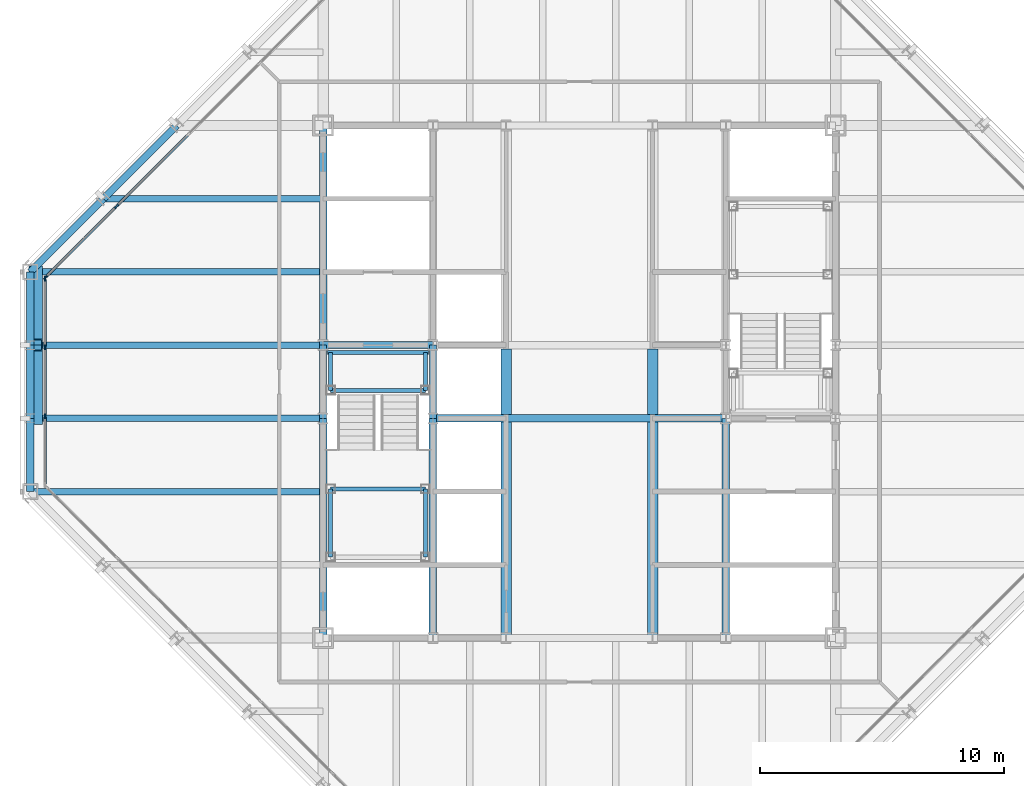
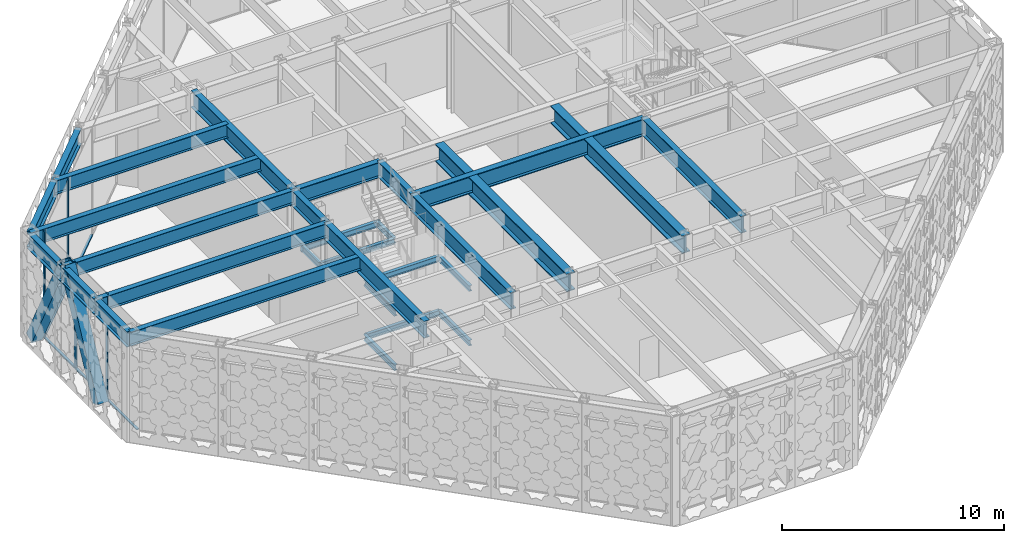
# One storey, part 6 of 28: 32 beams, 12 members, 2 elements without a shape of their own.
"""IFC4 building model written with IfcOpenShell, lengths in metres."""

from ifc_helpers import new_model, si_unit, direction, frame, origin, origin_2d, place, context, subcontext, project, spatial, rectangle, hollow_rectangle, i_section, extrude, material, layer, layer_set, material_profile, profile_set, type_object, element, aggregate, save


model = new_model("IFC4")

# Units and contexts
model_context = context("Model", 3, precision=1e-05, world=origin(), true_north=direction((0.0, 1.0)))
body_context = subcontext(model_context, "Body", "Model", "MODEL_VIEW")
ifc_project = project(units=[si_unit("LENGTHUNIT", "METRE"), si_unit("AREAUNIT", "SQUARE_METRE"), si_unit("VOLUMEUNIT", "CUBIC_METRE"), si_unit("PLANEANGLEUNIT", "RADIAN"), si_unit("MASSUNIT", "GRAM", prefix="KILO")], contexts=[model_context])

# Site, building, storey
site_placement = place(None, origin())
site = spatial("IfcSite", under=ifc_project, at=site_placement, CompositionType="ELEMENT")
building_placement = place(site_placement, origin())
building = spatial("IfcBuilding", under=site, at=building_placement, Name="Chuquiago Exchange Tower", CompositionType="ELEMENT")
storey_placement = place(building_placement, frame((0.0, 0.0, 300.0)))
storey = spatial("IfcBuildingStorey", under=building, at=storey_placement, Name="L67", CompositionType="ELEMENT", Elevation=300.0)

# Beams
ifc_material_1 = material(Name="Steel ASTM A992", Category="steel")
ifc_material_profile_1 = material_profile(ifc_material_1, i_section(OverallWidth=0.307373046875, OverallDepth=0.927001953125, WebThickness=0.01953125, FlangeThickness=0.031982421875, at=origin_2d()), Name="W36X194")
ifc_profile_set_1 = profile_set([ifc_material_profile_1], Name="Steel ASTM A992")
beam_type_1 = type_object("IfcBeamType", Name="B10 W36X194", PredefinedType="BEAM", material=ifc_profile_set_1)
for number, where, z_axis, x_axis, name in (
    (1, (12.0, 12.0, 5.37646484375), (0.0, 1.0, 0.0), (-1.0, 0.0, 0.0), "CB-L68-12_12-12_21"),
    (2, (12.0, 24.0, 5.37646484375), (0.0, 1.0, 0.0), (-1.0, 0.0, 0.0), "CB-L68-12_24-12_33"),
    (3, (16.5, 12.0, 5.37646484375), (0.0, 1.0, 0.0), (-1.0, 0.0, 0.0), "CB-L68-16.5_12-16.5_21"),
    (4, (28.5, 12.0, 5.37646484375), (0.0, 1.0, 0.0), (-1.0, 0.0, 0.0), "CB-L68-28.5_12-28.5_21"),
):
    element("IfcBeam", number, at=place(storey_placement, frame(where, z_axis=z_axis, x_axis=x_axis)), inside=storey, type_object=beam_type_1, Name=name, PredefinedType="BEAM", context=body_context, shape_type="SweptSolid", body=[
        extrude(i_section(OverallWidth=0.307373046875, OverallDepth=0.927001953125, WebThickness=0.01953125, FlangeThickness=0.031982421875, at=origin_2d()), origin(), (0.0, 0.0, 1.0), 9.0),
    ])
ifc_material_2 = material(Name="Steel ASTM A992", Category="steel")
ifc_material_profile_2 = material_profile(ifc_material_2, i_section(OverallWidth=0.309814453125, OverallDepth=0.949951171875, WebThickness=0.0244140625, FlangeThickness=0.0439453125, at=origin_2d()), Name="W36X256")
ifc_profile_set_2 = profile_set([ifc_material_profile_2], Name="Steel ASTM A992")
beam_type_2 = type_object("IfcBeamType", Name="B11 W36X256", PredefinedType="BEAM", material=ifc_profile_set_2)
beam_1_placement = place(storey_placement, frame((16.5, 21.0, 5.364990234375), z_axis=(1.0, 0.0, 0.0), x_axis=(0.0, 1.0, 0.0)))
element("IfcBeam", 5, at=beam_1_placement, inside=storey, type_object=beam_type_2, Name="CB-L68-16.5_21-28.5_21", PredefinedType="BEAM", context=body_context, shape_type="SweptSolid", body=[
    extrude(i_section(OverallWidth=0.309814453125, OverallDepth=0.949951171875, WebThickness=0.0244140625, FlangeThickness=0.0439453125, at=origin_2d()), origin(), (0.0, 0.0, 1.0), 12.0),
])
ifc_material_3 = material(Name="Steel ASTM A992", Category="steel")
ifc_material_profile_3 = material_profile(ifc_material_3, i_section(OverallWidth=0.4267578125, OverallDepth=0.975341796875, WebThickness=0.031005859375, FlangeThickness=0.055908203125, at=origin_2d()), Name="W36X395")
ifc_profile_set_3 = profile_set([ifc_material_profile_3], Name="Steel ASTM A992")
beam_type_3 = type_object("IfcBeamType", Name="B12 W36X395", PredefinedType="BEAM", material=ifc_profile_set_3)
beam_2_placement = place(storey_placement, frame((19.5, 12.0, 5.352294921875), z_axis=(0.0, 1.0, 0.0), x_axis=(-1.0, 0.0, 0.0)))
element("IfcBeam", 6, at=beam_2_placement, inside=storey, type_object=beam_type_3, Name="CB-L68-19.5_12-19.5_20.8451", PredefinedType="BEAM", context=body_context, shape_type="SweptSolid", body=[
    extrude(i_section(OverallWidth=0.4267578125, OverallDepth=0.975341796875, WebThickness=0.031005859375, FlangeThickness=0.055908203125, at=origin_2d()), origin(), (0.0, 0.0, 1.0), 8.84521484375),
])
beam_3_placement = place(storey_placement, frame((19.5, 21.15478515625, 5.352294921875), z_axis=(0.0, 1.0, 0.0), x_axis=(-1.0, 0.0, 0.0)))
element("IfcBeam", 7, at=beam_3_placement, inside=storey, type_object=beam_type_3, Name="CB-L68-19.5_21.1549-19.5_23.8451", PredefinedType="BEAM", context=body_context, shape_type="SweptSolid", body=[
    extrude(i_section(OverallWidth=0.4267578125, OverallDepth=0.975341796875, WebThickness=0.031005859375, FlangeThickness=0.055908203125, at=origin_2d()), origin(), (0.0, 0.0, 1.0), 2.6904296875),
])
beam_4_placement = place(storey_placement, frame((25.5, 12.0, 5.352294921875), z_axis=(0.0, 1.0, 0.0), x_axis=(-1.0, 0.0, 0.0)))
element("IfcBeam", 8, at=beam_4_placement, inside=storey, type_object=beam_type_3, Name="CB-L68-25.5_12-25.5_20.8451", PredefinedType="BEAM", context=body_context, shape_type="SweptSolid", body=[
    extrude(i_section(OverallWidth=0.4267578125, OverallDepth=0.975341796875, WebThickness=0.031005859375, FlangeThickness=0.055908203125, at=origin_2d()), origin(), (0.0, 0.0, 1.0), 8.84521484375),
])
beam_5_placement = place(storey_placement, frame((25.5, 21.15478515625, 5.352294921875), z_axis=(0.0, 1.0, 0.0), x_axis=(-1.0, 0.0, 0.0)))
element("IfcBeam", 9, at=beam_5_placement, inside=storey, type_object=beam_type_3, Name="CB-L68-25.5_21.1549-25.5_23.8451", PredefinedType="BEAM", context=body_context, shape_type="SweptSolid", body=[
    extrude(i_section(OverallWidth=0.4267578125, OverallDepth=0.975341796875, WebThickness=0.031005859375, FlangeThickness=0.055908203125, at=origin_2d()), origin(), (0.0, 0.0, 1.0), 2.6904296875),
])
ifc_material_4 = material(Name="Steel ASTM A992", Category="steel")
ifc_material_profile_4 = material_profile(ifc_material_4, i_section(OverallWidth=0.2919921875, OverallDepth=0.8583984375, WebThickness=0.01708984375, FlangeThickness=0.031005859375, at=origin_2d()), Name="W33X169")
ifc_profile_set_4 = profile_set([ifc_material_profile_4], Name="Steel ASTM A992")
beam_type_4 = type_object("IfcBeamType", Name="B3 W33X169", PredefinedType="BEAM", material=ifc_profile_set_4)
for number, where, z_axis, x_axis, name in (
    (10, (12.0, 21.0, 5.41064453125), (0.0, 1.0, 0.0), (-1.0, 0.0, 0.0), "CB-L68-12_21-12_24"),
    (11, (16.5, 21.0, 5.41064453125), (0.0, 1.0, 0.0), (-1.0, 0.0, 0.0), "CB-L68-16.5_21-16.5_24"),
):
    element("IfcBeam", number, at=place(storey_placement, frame(where, z_axis=z_axis, x_axis=x_axis)), inside=storey, type_object=beam_type_4, Name=name, PredefinedType="BEAM", context=body_context, shape_type="SweptSolid", body=[
        extrude(i_section(OverallWidth=0.2919921875, OverallDepth=0.8583984375, WebThickness=0.01708984375, FlangeThickness=0.031005859375, at=origin_2d()), origin(), (0.0, 0.0, 1.0), 3.0),
    ])
beam_6_placement = place(storey_placement, frame((12.0, 24.0, 5.41064453125), z_axis=(1.0, 0.0, 0.0), x_axis=(0.0, 1.0, 0.0)))
element("IfcBeam", 12, at=beam_6_placement, inside=storey, type_object=beam_type_4, Name="CB-L68-12_24-16.5_24", PredefinedType="BEAM", context=body_context, shape_type="SweptSolid", body=[
    extrude(i_section(OverallWidth=0.2919921875, OverallDepth=0.8583984375, WebThickness=0.01708984375, FlangeThickness=0.031005859375, at=origin_2d()), origin(), (0.0, 0.0, 1.0), 4.5),
])
ifc_material_5 = material(Name="Steel ASTM A992", Category="steel")
ifc_material_profile_5 = material_profile(ifc_material_5, i_section(OverallWidth=0.2666015625, OverallDepth=0.761962890625, WebThickness=0.014404296875, FlangeThickness=0.021484375, at=origin_2d()), Name="W30X116")
ifc_profile_set_5 = profile_set([ifc_material_profile_5], Name="Steel ASTM A992")
beam_type_5 = type_object("IfcBeamType", Name="B8 W30X116", PredefinedType="BEAM", material=ifc_profile_set_5)
for number, where, z_axis, x_axis, name in (
    (13, (12.0, 18.0, 5.458984375), (-1.0, 0.0, 0.0), (0.0, -1.0, 0.0), "FB-L68-infill-12_18--0_18-0"),
    (14, (12.0, 21.0, 5.458984375), (-1.0, 0.0, 0.0), (0.0, -1.0, 0.0), "FB-L68-infill-12_21--0_21-0"),
    (15, (12.0, 24.0, 5.458984375), (-1.0, 0.0, 0.0), (0.0, -1.0, 0.0), "FB-L68-infill-12_24--0_24-0"),
    (16, (12.0, 27.0, 5.458984375), (-1.0, 0.0, 0.0), (0.0, -1.0, 0.0), "FB-L68-infill-12_27--0_27-0"),
):
    element("IfcBeam", number, at=place(storey_placement, frame(where, z_axis=z_axis, x_axis=x_axis)), inside=storey, type_object=beam_type_5, Name=name, PredefinedType="BEAM", context=body_context, shape_type="SweptSolid", body=[
        extrude(i_section(OverallWidth=0.2666015625, OverallDepth=0.761962890625, WebThickness=0.014404296875, FlangeThickness=0.021484375, at=origin_2d()), origin(), (0.0, 0.0, 1.0), 12.0),
    ])
beam_7_placement = place(storey_placement, frame((12.0, 30.0, 5.458984375), z_axis=(-1.0, 0.0, 0.0), x_axis=(0.0, -1.0, 0.0)))
element("IfcBeam", 17, at=beam_7_placement, inside=storey, type_object=beam_type_5, Name="FB-L68-infill-12_30-3_30-0", PredefinedType="BEAM", context=body_context, shape_type="SweptSolid", body=[
    extrude(i_section(OverallWidth=0.2666015625, OverallDepth=0.761962890625, WebThickness=0.014404296875, FlangeThickness=0.021484375, at=origin_2d()), origin(), (0.0, 0.0, 1.0), 9.0),
])

# Curtain wall, members
ifc_material_6 = material(Name="Aluminium curtain wall system", Category="aluminium")
ifc_layer = layer(ifc_material_6, 0.199951171875)
ifc_layer_set = layer_set([ifc_layer], Name="CW5 lantern curtain wall")
curtain_wall_type = type_object("IfcCurtainWallType", Name="CW5 lantern curtain wall", PredefinedType="NOTDEFINED", material=ifc_layer_set)
curtain_wall_1_placement = place(storey_placement, origin())
curtain_wall_1 = element("IfcCurtainWall", 18, at=curtain_wall_1_placement, inside=storey, type_object=curtain_wall_type, Name="CW5 curtain wall L67", PredefinedType="NOTDEFINED")
ifc_material_7 = material(Name="Aluminium mullion, pale anodised", Category="aluminium")
ifc_material_profile_6 = material_profile(ifc_material_7, rectangle(XDim=0.06005859375, YDim=0.199951171875, at=origin_2d()), Name="AL 60x200")
ifc_profile_set_6 = profile_set([ifc_material_profile_6], Name="Aluminium mullion, pale anodised")
member_type_1 = type_object("IfcMemberType", Name="CW5-M mullion 60x200", PredefinedType="MULLION", material=ifc_profile_set_6)
member_1_placement = place(storey_placement, frame((3.53564453125, 29.68701171875, 0.0), z_axis=(0.0, 0.0, 1.0), x_axis=(0.707104773852, -0.707108788515, 0.0)))
member_1 = element("IfcMember", 19, at=member_1_placement, type_object=member_type_1, Name="CW5 mullion 6", PredefinedType="MULLION", context=body_context, shape_type="SweptSolid", body=[
    extrude(rectangle(XDim=0.06005859375, YDim=0.199951171875, at=origin_2d()), origin(), (0.0, 0.0, 1.0), 5.840087890625),
])
member_2_placement = place(storey_placement, frame((0.62109375, 26.772705078125, 0.0), z_axis=(0.0, 0.0, 1.0), x_axis=(0.707104773852, -0.707108788515, 0.0)))
member_2 = element("IfcMember", 20, at=member_2_placement, type_object=member_type_1, Name="CW5 mullion 7", PredefinedType="MULLION", context=body_context, shape_type="SweptSolid", body=[
    extrude(rectangle(XDim=0.06005859375, YDim=0.199951171875, at=origin_2d()), origin(), (0.0, 0.0, 1.0), 5.840087890625),
])

curtain_wall_2_placement = place(storey_placement, origin())
curtain_wall_2 = element("IfcCurtainWall", 21, at=curtain_wall_2_placement, inside=storey, type_object=curtain_wall_type, Name="CW5 curtain wall L67", PredefinedType="NOTDEFINED")
member_3_placement = place(storey_placement, frame((0.60009765625, 26.721435546875, 0.0), z_axis=(0.0, 0.0, 1.0), x_axis=(1.0, 0.0, 0.0)))
member_3 = element("IfcMember", 22, at=member_3_placement, type_object=member_type_1, Name="CW5 mullion 1", PredefinedType="MULLION", context=body_context, shape_type="SweptSolid", body=[
    extrude(rectangle(XDim=0.06005859375, YDim=0.199951171875, at=origin_2d()), origin(), (0.0, 0.0, 1.0), 5.840087890625),
])
member_4_placement = place(storey_placement, frame((0.60009765625, 23.917236328125, 0.0), z_axis=(0.0, 0.0, 1.0), x_axis=(1.0, 0.0, 0.0)))
member_4 = element("IfcMember", 23, at=member_4_placement, type_object=member_type_1, Name="CW5 mullion 2", PredefinedType="MULLION", context=body_context, shape_type="SweptSolid", body=[
    extrude(rectangle(XDim=0.06005859375, YDim=0.199951171875, at=origin_2d()), origin(), (0.0, 0.0, 1.0), 5.840087890625),
])
member_5_placement = place(storey_placement, frame((0.60009765625, 21.082763671875, 0.0), z_axis=(0.0, 0.0, 1.0), x_axis=(1.0, 0.0, 0.0)))
member_5 = element("IfcMember", 24, at=member_5_placement, type_object=member_type_1, Name="CW5 mullion 3", PredefinedType="MULLION", context=body_context, shape_type="SweptSolid", body=[
    extrude(rectangle(XDim=0.06005859375, YDim=0.199951171875, at=origin_2d()), origin(), (0.0, 0.0, 1.0), 5.840087890625),
])

# Member
ifc_material_8 = material(Name="Aluminium transom, pale anodised", Category="aluminium")
ifc_material_profile_7 = material_profile(ifc_material_8, rectangle(XDim=0.1201171875, YDim=0.06005859375, at=origin_2d()), Name="AL 120x60")
ifc_profile_set_7 = profile_set([ifc_material_profile_7], Name="Aluminium transom, pale anodised")
member_type_2 = type_object("IfcMemberType", Name="CW5-T transom 60x120", PredefinedType="MULLION", material=ifc_profile_set_7)
member_6_placement = place(storey_placement, frame((6.449951171875, 32.601318359375, 0.030029296875), z_axis=(-0.707136615027, -0.707076946087, 0.0), x_axis=(0.707076946087, -0.707136615027, 0.0)))
member_6 = element("IfcMember", 25, at=member_6_placement, type_object=member_type_2, Name="CW5 transom 5.1", PredefinedType="MULLION", context=body_context, shape_type="SweptSolid", body=[
    extrude(rectangle(XDim=0.1201171875, YDim=0.06005859375, at=origin_2d()), origin(), (0.0, 0.0, 1.0), 4.091552734375),
])

member_7_placement = place(storey_placement, frame((3.514404296875, 29.665771484375, 0.030029296875), z_axis=(-0.707136835667, -0.707076725429, 0.0), x_axis=(0.707076725429, -0.707136835667, 0.0)))
member_7 = element("IfcMember", 26, at=member_7_placement, type_object=member_type_2, Name="CW5 transom 6.1", PredefinedType="MULLION", context=body_context, shape_type="SweptSolid", body=[
    extrude(rectangle(XDim=0.1201171875, YDim=0.06005859375, at=origin_2d()), origin(), (0.0, 0.0, 1.0), 4.0615234375),
])

aggregate(curtain_wall_1, [member_1, member_2, member_6, member_7])

member_8_placement = place(storey_placement, frame((0.60009765625, 26.69140625, 0.030029296875), z_axis=(0.0, -1.0, 0.0), x_axis=(1.0, 0.0, 0.0)))
member_8 = element("IfcMember", 27, at=member_8_placement, type_object=member_type_2, Name="CW5 transom 1.1", PredefinedType="MULLION", context=body_context, shape_type="SweptSolid", body=[
    extrude(rectangle(XDim=0.1201171875, YDim=0.06005859375, at=origin_2d()), origin(), (0.0, 0.0, 1.0), 2.744140625),
])

member_9_placement = place(storey_placement, frame((0.60009765625, 23.88720703125, 0.030029296875), z_axis=(0.0, -1.0, 0.0), x_axis=(1.0, 0.0, 0.0)))
member_9 = element("IfcMember", 28, at=member_9_placement, type_object=member_type_2, Name="CW5 transom 2.1", PredefinedType="MULLION", context=body_context, shape_type="SweptSolid", body=[
    extrude(rectangle(XDim=0.1201171875, YDim=0.06005859375, at=origin_2d()), origin(), (0.0, 0.0, 1.0), 2.7744140625),
])

member_10_placement = place(storey_placement, frame((0.60009765625, 21.052734375, 0.030029296875), z_axis=(0.0, -1.0, 0.0), x_axis=(1.0, 0.0, 0.0)))
member_10 = element("IfcMember", 29, at=member_10_placement, type_object=member_type_2, Name="CW5 transom 3.1", PredefinedType="MULLION", context=body_context, shape_type="SweptSolid", body=[
    extrude(rectangle(XDim=0.1201171875, YDim=0.06005859375, at=origin_2d()), origin(), (0.0, 0.0, 1.0), 2.744140625),
])

aggregate(curtain_wall_2, [member_3, member_4, member_5, member_8, member_9, member_10])

# Beams
ifc_material_9 = material(Name="Steel ASTM A992", Category="steel")
ifc_material_profile_8 = material_profile(ifc_material_9, i_section(OverallWidth=0.164794921875, OverallDepth=0.309814453125, WebThickness=0.005859375, FlangeThickness=0.009765625, at=origin_2d()), Name="W12X26")
ifc_profile_set_8 = profile_set([ifc_material_profile_8], Name="Steel ASTM A992")
beam_type_6 = type_object("IfcBeamType", Name="LS1 W12X26", PredefinedType="BEAM", material=ifc_profile_set_8)
for number, where, z_axis, x_axis, name in (
    (30, (12.31005859375, 15.31005859375, 1.14501953125), (0.0, 1.0, 0.0), (-1.0, 0.0, 0.0), "Stair ST1 L67 landing 1 stringer"),
    (31, (16.18994140625, 15.31005859375, 1.14501953125), (0.0, 1.0, 0.0), (-1.0, 0.0, 0.0), "Stair ST1 L67 landing 1 stringer"),
):
    element("IfcBeam", number, at=place(storey_placement, frame(where, z_axis=z_axis, x_axis=x_axis)), inside=storey, type_object=beam_type_6, Name=name, PredefinedType="BEAM", context=body_context, shape_type="SweptSolid", body=[
        extrude(i_section(OverallWidth=0.164794921875, OverallDepth=0.309814453125, WebThickness=0.005859375, FlangeThickness=0.009765625, at=origin_2d()), origin(), (0.0, 0.0, 1.0), 2.800048828125),
    ])
for number, where, z_axis, x_axis, name in (
    (32, (12.31005859375, 22.14990234375, 2.64501953125), (0.0, 1.0, 0.0), (-1.0, 0.0, 0.0), "Stair ST1 L67 landing 2 stringer"),
    (33, (16.18994140625, 22.14990234375, 2.64501953125), (0.0, 1.0, 0.0), (-1.0, 0.0, 0.0), "Stair ST1 L67 landing 2 stringer"),
):
    element("IfcBeam", number, at=place(storey_placement, frame(where, z_axis=z_axis, x_axis=x_axis)), inside=storey, type_object=beam_type_6, Name=name, PredefinedType="BEAM", context=body_context, shape_type="SweptSolid", body=[
        extrude(i_section(OverallWidth=0.164794921875, OverallDepth=0.309814453125, WebThickness=0.005859375, FlangeThickness=0.009765625, at=origin_2d()), origin(), (0.0, 0.0, 1.0), 1.5400390625),
    ])
for number, where, z_axis, x_axis, name in (
    (34, (12.31005859375, 15.31005859375, 4.14501953125), (0.0, 1.0, 0.0), (-1.0, 0.0, 0.0), "Stair ST1 L67 landing 3 stringer"),
    (35, (16.18994140625, 15.31005859375, 4.14501953125), (0.0, 1.0, 0.0), (-1.0, 0.0, 0.0), "Stair ST1 L67 landing 3 stringer"),
):
    element("IfcBeam", number, at=place(storey_placement, frame(where, z_axis=z_axis, x_axis=x_axis)), inside=storey, type_object=beam_type_6, Name=name, PredefinedType="BEAM", context=body_context, shape_type="SweptSolid", body=[
        extrude(i_section(OverallWidth=0.164794921875, OverallDepth=0.309814453125, WebThickness=0.005859375, FlangeThickness=0.009765625, at=origin_2d()), origin(), (0.0, 0.0, 1.0), 2.800048828125),
    ])
ifc_material_10 = material(Name="Steel ASTM A992", Category="steel")
ifc_material_profile_9 = material_profile(ifc_material_10, i_section(OverallWidth=0.164794921875, OverallDepth=0.309814453125, WebThickness=0.005859375, FlangeThickness=0.009765625, at=origin_2d()), Name="W12X26")
ifc_profile_set_9 = profile_set([ifc_material_profile_9], Name="Steel ASTM A992")
beam_type_7 = type_object("IfcBeamType", Name="LT1 W12X26", PredefinedType="BEAM", material=ifc_profile_set_9)
for number, where, z_axis, x_axis, name in (
    (36, (12.31005859375, 18.110107421875, 1.14501953125), (1.0, 0.0, 0.0), (0.0, 1.0, 0.0), "Stair ST1 L67 landing 1 trimmer"),
    (37, (12.31005859375, 22.14990234375, 2.64501953125), (1.0, 0.0, 0.0), (0.0, 1.0, 0.0), "Stair ST1 L67 landing 2 trimmer"),
):
    element("IfcBeam", number, at=place(storey_placement, frame(where, z_axis=z_axis, x_axis=x_axis)), inside=storey, type_object=beam_type_7, Name=name, PredefinedType="BEAM", context=body_context, shape_type="SweptSolid", body=[
        extrude(i_section(OverallWidth=0.164794921875, OverallDepth=0.309814453125, WebThickness=0.005859375, FlangeThickness=0.009765625, at=origin_2d()), origin(), (0.0, 0.0, 1.0), 3.8798828125),
    ])
beam_8_placement = place(storey_placement, frame((12.188232421875, 23.68994140625, 2.64501953125), z_axis=(1.0, 0.0, 0.0), x_axis=(0.0, 1.0, 0.0)))
element("IfcBeam", 38, at=beam_8_placement, inside=storey, type_object=beam_type_7, Name="Stair ST1 L67 landing 2 trimmer", PredefinedType="BEAM", context=body_context, shape_type="SweptSolid", body=[
    extrude(i_section(OverallWidth=0.164794921875, OverallDepth=0.309814453125, WebThickness=0.005859375, FlangeThickness=0.009765625, at=origin_2d()), origin(), (0.0, 0.0, 1.0), 4.12353515625),
])
beam_9_placement = place(storey_placement, frame((12.31005859375, 18.110107421875, 4.14501953125), z_axis=(1.0, 0.0, 0.0), x_axis=(0.0, 1.0, 0.0)))
element("IfcBeam", 39, at=beam_9_placement, inside=storey, type_object=beam_type_7, Name="Stair ST1 L67 landing 3 trimmer", PredefinedType="BEAM", context=body_context, shape_type="SweptSolid", body=[
    extrude(i_section(OverallWidth=0.164794921875, OverallDepth=0.309814453125, WebThickness=0.005859375, FlangeThickness=0.009765625, at=origin_2d()), origin(), (0.0, 0.0, 1.0), 3.8798828125),
])

# Members
ifc_material_11 = material(Name="Steel ASTM A572 Grade 50", Category="steel")
ifc_material_profile_10 = material_profile(ifc_material_11, hollow_rectangle(XDim=0.550048828125, YDim=0.550048828125, WallThickness=0.044921875, at=origin_2d()), Name="BOX550X550X45")
ifc_profile_set_10 = profile_set([ifc_material_profile_10], Name="Steel ASTM A572 Grade 50")
member_type_3 = type_object("IfcMemberType", Name="MB4 BOX550X550X45", PredefinedType="BRACE", material=ifc_profile_set_10)
for number, where, z_axis, x_axis, name in (
    (40, (0.22998046875, 27.0, 0.0), (0.0, -0.456929540486, 0.889502892087), (1.0, 0.0, 0.0), "Mega diagonal L67 W face"),
    (41, (0.22998046875, 21.0, 0.0), (0.0, 0.456929540486, 0.889502892087), (-1.0, 0.0, 0.0), "Mega diagonal L67 W face"),
):
    element("IfcMember", number, at=place(storey_placement, frame(where, z_axis=z_axis, x_axis=x_axis)), inside=storey, type_object=member_type_3, Name=name, PredefinedType="BRACE", context=body_context, shape_type="SweptSolid", body=[
        extrude(hollow_rectangle(XDim=0.550048828125, YDim=0.550048828125, WallThickness=0.044921875, at=origin_2d()), origin(), (0.0, 0.0, 1.0), 6.565673828125),
    ])

# Beams
ifc_material_12 = material(Name="Steel ASTM A992", Category="steel")
ifc_material_profile_11 = material_profile(ifc_material_12, i_section(OverallWidth=0.2919921875, OverallDepth=0.8583984375, WebThickness=0.01708984375, FlangeThickness=0.031005859375, at=origin_2d()), Name="W33X169")
ifc_profile_set_11 = profile_set([ifc_material_profile_11], Name="Steel ASTM A992")
beam_type_8 = type_object("IfcBeamType", Name="SP4 W33X169", PredefinedType="SPANDREL", material=ifc_profile_set_11)
for number, where, z_axis, x_axis, name in (
    (42, (6.0, 33.0, 5.41064453125), (-0.707106781187, -0.707106781187, 0.0), (0.707106781187, -0.707106781187, 0.0), "SPB-L68-6_33-3_30"),
    (43, (3.0, 30.0, 5.41064453125), (-0.707106781187, -0.707106781187, 0.0), (0.707106781187, -0.707106781187, 0.0), "SPB-L68-3_30-0_27"),
):
    element("IfcBeam", number, at=place(storey_placement, frame(where, z_axis=z_axis, x_axis=x_axis)), inside=storey, type_object=beam_type_8, Name=name, PredefinedType="SPANDREL", context=body_context, shape_type="SweptSolid", body=[
        extrude(i_section(OverallWidth=0.2919921875, OverallDepth=0.8583984375, WebThickness=0.01708984375, FlangeThickness=0.031005859375, at=origin_2d()), origin(), (0.0, 0.0, 1.0), 4.24267578125),
    ])
for number, where, z_axis, x_axis, name in (
    (44, (0.0, 27.0, 5.41064453125), (0.0, -1.0, 0.0), (1.0, 0.0, 0.0), "SPB-L68-0_27-0_24"),
    (45, (0.0, 24.0, 5.41064453125), (0.0, -1.0, 0.0), (1.0, 0.0, 0.0), "SPB-L68-0_24-0_21"),
    (46, (0.0, 21.0, 5.41064453125), (0.0, -1.0, 0.0), (1.0, 0.0, 0.0), "SPB-L68-0_21-0_18"),
):
    element("IfcBeam", number, at=place(storey_placement, frame(where, z_axis=z_axis, x_axis=x_axis)), inside=storey, type_object=beam_type_8, Name=name, PredefinedType="SPANDREL", context=body_context, shape_type="SweptSolid", body=[
        extrude(i_section(OverallWidth=0.2919921875, OverallDepth=0.8583984375, WebThickness=0.01708984375, FlangeThickness=0.031005859375, at=origin_2d()), origin(), (0.0, 0.0, 1.0), 3.0),
    ])

save(model, "model.ifc")
